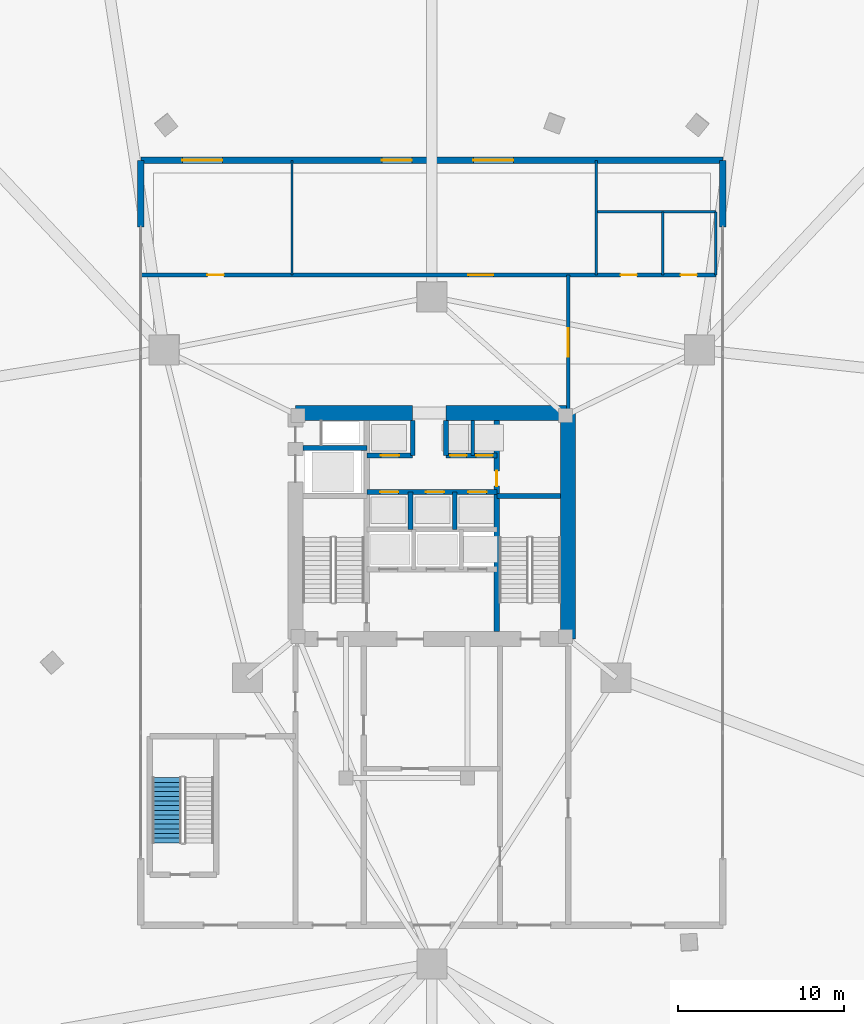
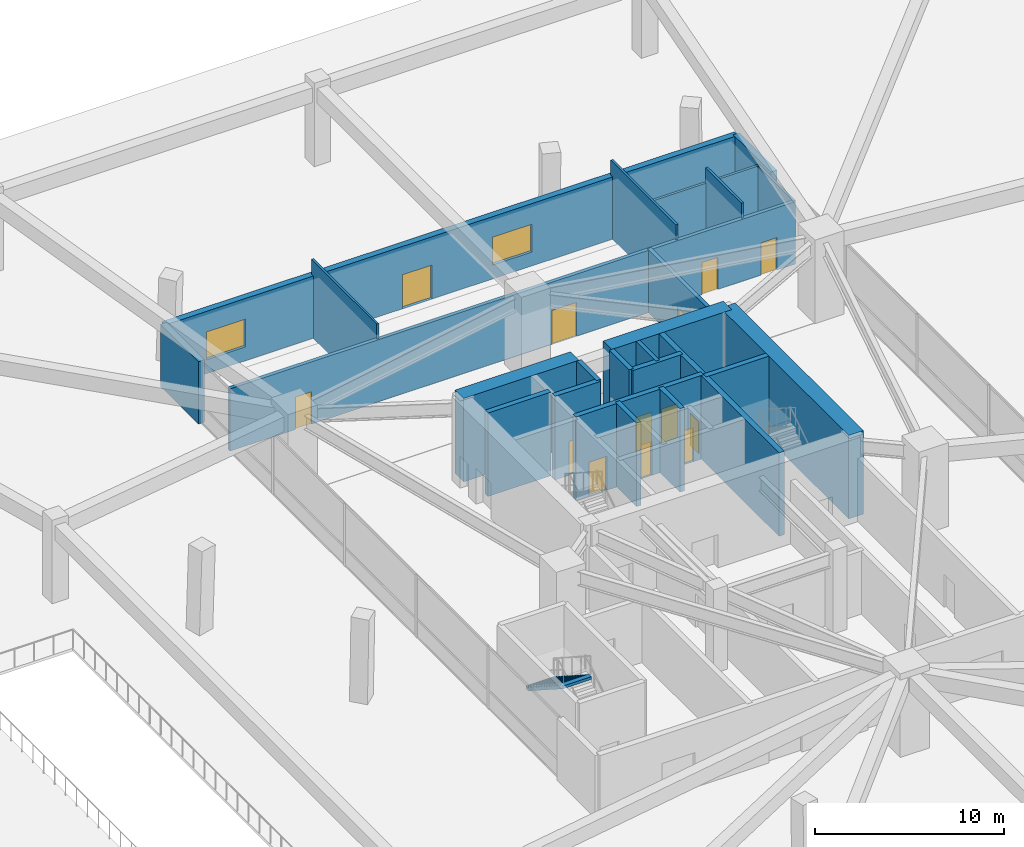
# One storey, part 13 of 19: 24 walls, 13 doors, 2 windows, 1 stair flight, 15 openings, 1 element without a shape of its own.
"""IFC4 building model written with IfcOpenShell, lengths in metres."""

import ifcopenshell
import ifcopenshell.guid

model = None  # the IFC model being written
_history = None  # IfcOwnerHistory: only IFC2X3 demands one
_inside = {}  # id of a spatial element -> (the spatial element, [elements in it])
_under = {}  # id of a project, library or spatial element -> (it, [spatial elements below it])
_declared = {}  # id of a project -> (the project, [libraries it declares])
_typed = {}  # id of a type object -> (the type object, [elements of that type])
_made_of = {}  # id of a material, layer set ... -> (it, [elements and type objects made of it])


def new_model(schema):
    """Start an empty IFC model of exactly this schema.

    Asked for "IFC4X3", IfcOpenShell would pick the latest addendum, in which some entities
    have other attributes; the version numbers below select the first issue.
    IFC2X3 requires an IfcOwnerHistory on every rooted entity: one is made here for all.
    """
    global model, _history
    if schema == "IFC4X3":
        model = ifcopenshell.file(schema_version=(4, 3, 0, 0))
    else:
        model = ifcopenshell.file(schema=schema)
    _inside.clear()
    _under.clear()
    _declared.clear()
    _typed.clear()
    _made_of.clear()
    _history = None
    if model.schema == "IFC2X3":
        org = make("IfcOrganization", Name="unknown")
        user = make(
            "IfcPersonAndOrganization",
            ThePerson=make("IfcPerson", FamilyName="unknown"),
            TheOrganization=org,
        )
        app = make(
            "IfcApplication",
            ApplicationDeveloper=org,
            Version="unknown",
            ApplicationFullName="unknown",
            ApplicationIdentifier="unknown",
        )
        _history = make(
            "IfcOwnerHistory",
            OwningUser=user,
            OwningApplication=app,
            ChangeAction="ADDED",
            CreationDate=0,
        )
    return model


def make(cls, **values):
    """One entity of the class cls with the attributes given. An attribute that is None is left unset."""
    return model.create_entity(
        cls, **{name: value for name, value in values.items() if value is not None}
    )


def rooted(cls, **values):
    """An entity with a GlobalId (a new one), such as an element, a storey or a relation."""
    return make(cls, GlobalId=ifcopenshell.guid.new(), OwnerHistory=_history, **values)


def si_unit(unit_type, name, prefix=None):
    """IfcSIUnit, for example si_unit("LENGTHUNIT", "METRE", prefix="MILLI")."""
    return make("IfcSIUnit", UnitType=unit_type, Prefix=prefix, Name=name)


def assignment(units):
    """IfcUnitAssignment: the units of a project."""
    return None if units is None else make("IfcUnitAssignment", Units=units)


def point(xyz):
    """IfcCartesianPoint."""
    return None if xyz is None else make("IfcCartesianPoint", Coordinates=xyz)


def direction(xyz):
    """IfcDirection."""
    return None if xyz is None else make("IfcDirection", DirectionRatios=xyz)


def frame(location, z_axis=None, x_axis=None):
    """IfcAxis2Placement3D, a coordinate frame: its origin and axes. An axis left out is left unset."""
    return make(
        "IfcAxis2Placement3D",
        Location=point(location),
        Axis=direction(z_axis),
        RefDirection=direction(x_axis),
    )


def frame_2d(location, x_axis=None):
    """IfcAxis2Placement2D, a coordinate frame in the plane: its origin and x axis."""
    return make(
        "IfcAxis2Placement2D", Location=point(location), RefDirection=direction(x_axis)
    )


def origin():
    """The frame at (0, 0, 0) with its axes left unset."""
    return frame((0.0, 0.0, 0.0))


def place(relative_to, where):
    """IfcLocalPlacement: puts the frame where relative to a parent placement (None: the world)."""
    return make(
        "IfcLocalPlacement", PlacementRelTo=relative_to, RelativePlacement=where
    )


def context(
    kind, dimensions, precision=None, world=None, true_north=None, identifier=None
):
    """IfcGeometricRepresentationContext, for example the 3D "Model" context."""
    return make(
        "IfcGeometricRepresentationContext",
        ContextIdentifier=identifier,
        ContextType=kind,
        CoordinateSpaceDimension=dimensions,
        Precision=precision,
        WorldCoordinateSystem=world,
        TrueNorth=true_north,
    )


def subcontext(parent, identifier, kind, view, scale=None):
    """IfcGeometricRepresentationSubContext, for example "Body" below "Model"."""
    return make(
        "IfcGeometricRepresentationSubContext",
        ContextIdentifier=identifier,
        ContextType=kind,
        ParentContext=parent,
        TargetScale=scale,
        TargetView=view,
    )


def project(units=None, contexts=None):
    """IfcProject with its units and contexts."""
    return rooted(
        "IfcProject",
        Name="project",
        RepresentationContexts=contexts,
        UnitsInContext=assignment(units),
    )


def spatial(cls, under=None, at=None, **own):
    """A site, building, storey or space (cls), placed at a placement, below another one or the project."""
    s = rooted(cls, ObjectPlacement=at, **own)
    if under is not None:
        _under.setdefault(under.id(), (under, []))[1].append(s)
    return s


def polyline(points):
    """IfcPolyline through the points."""
    return make("IfcPolyline", Points=[point(p) for p in points])


def profile(cls, at=None, kind="AREA", **sizes):
    """A parametric profile (cls). Its sizes go by their IFC names, for example OverallWidth=200.0."""
    return make(cls, ProfileType=kind, Position=at, **sizes)


def rectangle(**sizes):
    """IfcRectangleProfileDef."""
    return profile("IfcRectangleProfileDef", **sizes)


def outline(outer, holes=None, kind="AREA"):
    """IfcArbitraryClosedProfileDef: a profile drawn as a closed curve; with holes, ...WithVoids."""
    if holes is None:
        return make("IfcArbitraryClosedProfileDef", ProfileType=kind, OuterCurve=outer)
    return make(
        "IfcArbitraryProfileDefWithVoids",
        ProfileType=kind,
        OuterCurve=outer,
        InnerCurves=holes,
    )


def extrude(swept, where, along, depth):
    """IfcExtrudedAreaSolid: the profile swept, set in the frame where, extruded along a direction by depth."""
    return make(
        "IfcExtrudedAreaSolid",
        SweptArea=swept,
        Position=where,
        ExtrudedDirection=direction(along),
        Depth=depth,
    )


def shape(context_of_items, identifier, shape_type, items):
    """IfcShapeRepresentation: the items that make up one representation, for example the "Body"."""
    return make(
        "IfcShapeRepresentation",
        ContextOfItems=context_of_items,
        RepresentationIdentifier=identifier,
        RepresentationType=shape_type,
        Items=items,
    )


def material(Name=None, Category=None):
    """IfcMaterial."""
    return make("IfcMaterial", Name=Name, Category=Category)


def layer(
    of_material, thickness, ventilated=None, Name=None, Category=None, Priority=None
):
    """IfcMaterialLayer: one layer of a wall or slab, of a material (None: an air gap)."""
    return make(
        "IfcMaterialLayer",
        Material=of_material,
        LayerThickness=thickness,
        IsVentilated=ventilated,
        Name=Name,
        Category=Category,
        Priority=Priority,
    )


def layer_set(layers, Name=None):
    """IfcMaterialLayerSet."""
    return make("IfcMaterialLayerSet", MaterialLayers=layers, LayerSetName=Name)


def made_of(thing, what):
    """Note that an element or type object is made of a material, layer set ...; save() writes the relation."""
    if what is not None:
        _made_of.setdefault(what.id(), (what, []))[1].append(thing)
    return thing


def type_object(cls, material=None, **own):
    """A type object (cls), such as IfcWallType, which elements share."""
    return made_of(rooted(cls, **own), material)


def element(
    cls,
    number,
    at=None,
    inside=None,
    cuts=None,
    type_object=None,
    material=None,
    context=None,
    identifier="Body",
    shape_type=None,
    held_by="IfcProductDefinitionShape",
    body=None,
    shapes=None,
    **own,
):
    """One element of the class cls, such as IfcWall. Its Tag is "e" and its number.

    at: its placement. inside: the storey or other place that contains it. cuts: it is an
    opening in that element (IfcRelVoidsElement). A single representation is given by context,
    identifier, shape_type and body (its items); several are given by shapes. held_by: the class
    of the entity that holds the representations. save() writes the other relations.
    """
    e = rooted(cls, Tag="e%d" % number, ObjectPlacement=at, **own)
    if body is not None:
        shapes = [shape(context, identifier, shape_type, body)]
    if shapes is not None:
        e.Representation = make(held_by, Representations=shapes)
    if inside is not None:
        _inside.setdefault(inside.id(), (inside, []))[1].append(e)
    if cuts is not None:
        rooted(
            "IfcRelVoidsElement", RelatingBuildingElement=cuts, RelatedOpeningElement=e
        )
    if type_object is not None:
        _typed.setdefault(type_object.id(), (type_object, []))[1].append(e)
    return made_of(e, material)


def fill(opening, filler):
    """IfcRelFillsElement: the door or window that sits in an opening."""
    return rooted(
        "IfcRelFillsElement",
        RelatingOpeningElement=opening,
        RelatedBuildingElement=filler,
    )


def aggregate(whole, parts):
    """IfcRelAggregates: a whole, such as a stair, and the parts it consists of."""
    return rooted("IfcRelAggregates", RelatingObject=whole, RelatedObjects=parts)


def save(model, path):
    """Write the relations noted so far, then the file.

    IfcRelAggregates (storeys below a building ...), IfcRelContainedInSpatialStructure (elements
    in a storey), IfcRelDefinesByType, IfcRelAssociatesMaterial and IfcRelDeclares: one each for
    every whole, place, type object, material and project.
    """
    for whole, parts in _under.values():
        aggregate(whole, parts)
    for where, things in _inside.values():
        rooted(
            "IfcRelContainedInSpatialStructure",
            RelatedElements=things,
            RelatingStructure=where,
        )
    for kind, things in _typed.values():
        rooted("IfcRelDefinesByType", RelatedObjects=things, RelatingType=kind)
    for what, things in _made_of.values():
        rooted("IfcRelAssociatesMaterial", RelatedObjects=things, RelatingMaterial=what)
    for by, libraries in _declared.values():
        rooted("IfcRelDeclares", RelatingContext=by, RelatedDefinitions=libraries)
    model.write(path)


model = new_model("IFC4")

# Units and contexts
model_context = context("Model", 3, precision=1e-05, world=origin(), true_north=direction((0.0, 1.0)))
body_context = subcontext(model_context, "Body", "Model", "MODEL_VIEW")
ifc_project = project(units=[si_unit("LENGTHUNIT", "METRE"), si_unit("AREAUNIT", "SQUARE_METRE"), si_unit("VOLUMEUNIT", "CUBIC_METRE"), si_unit("PLANEANGLEUNIT", "RADIAN"), si_unit("MASSUNIT", "GRAM", prefix="KILO")], contexts=[model_context])

# Site, building, storey
site_placement = place(None, origin())
site = spatial("IfcSite", under=ifc_project, at=site_placement, CompositionType="ELEMENT")
building_placement = place(site_placement, origin())
building = spatial("IfcBuilding", under=site, at=building_placement, Name="Talyreon Biosciences Tower", CompositionType="ELEMENT")
storey_placement = place(building_placement, origin())
storey = spatial("IfcBuildingStorey", under=building, at=storey_placement, Name="L00", CompositionType="ELEMENT", Elevation=0.0)

# Walls
ifc_material_1 = material(Name="Concrete C50/60", Category="concrete")
ifc_layer_1 = layer(ifc_material_1, 0.219970703125)
ifc_layer_set_1 = layer_set([ifc_layer_1], Name="Concrete C50/60")
wall_type_1 = type_object("IfcWallType", Name="CoreShearWall_220", PredefinedType="SHEAR", material=ifc_layer_set_1)
wall_1_placement = place(storey_placement, frame((68.4599609375, 72.25, 0.0), z_axis=(0.0, 0.0, 1.0), x_axis=(0.0, 1.0, 0.0)))
element("IfcWall", 1, at=wall_1_placement, inside=storey, type_object=wall_type_1, Name="L00 Core Shaft Wall SWPHD", PredefinedType="SHEAR", context=body_context, shape_type="SweptSolid", body=[
    extrude(rectangle(XDim=2.10009765625, YDim=0.219970703125, at=frame_2d((1.050048828125, 0.0))), origin(), (0.0, 0.0, 1.0), 5.39990234375),
])
ifc_layer_2 = layer(ifc_material_1, 0.280029296875)
ifc_layer_set_2 = layer_set([ifc_layer_2], Name="Concrete C50/60")
wall_type_2 = type_object("IfcWallType", Name="CoreShearWall_280", PredefinedType="SHEAR", material=ifc_layer_set_2)
for number, where, z_axis, x_axis, name in (
    (2, (64.85009765625, 72.25, 0.0), (0.0, 0.0, 1.0), (0.0, 1.0, 0.0), "L00 Core Shaft Wall SWTHW"),
    (3, (66.85009765625, 72.25, 0.0), (0.0, 0.0, 1.0), (0.0, 1.0, 0.0), "L00 Core Shaft Wall SWTHE"),
):
    element("IfcWall", number, at=place(storey_placement, frame(where, z_axis=z_axis, x_axis=x_axis)), inside=storey, type_object=wall_type_2, Name=name, PredefinedType="SHEAR", context=body_context, shape_type="SweptSolid", body=[
        extrude(rectangle(XDim=2.10009765625, YDim=0.280029296875, at=frame_2d((1.050048828125, 0.0))), origin(), (0.0, 0.0, 1.0), 5.39990234375),
    ])
for number, where, z_axis, x_axis, name in (
    (4, (64.719970703125, 67.800048828125, 0.0), (0.0, 0.0, 1.0), (0.0, 1.0, 0.0), "L00 Core Shaft Wall SWPLD"),
    (5, (67.3798828125, 67.800048828125, 0.0), (0.0, 0.0, 1.0), (0.0, 1.0, 0.0), "L00 Core Shaft Wall SWPMD"),
):
    element("IfcWall", number, at=place(storey_placement, frame(where, z_axis=z_axis, x_axis=x_axis)), inside=storey, type_object=wall_type_2, Name=name, PredefinedType="SHEAR", context=body_context, shape_type="SweptSolid", body=[
        extrude(rectangle(XDim=2.25, YDim=0.280029296875, at=frame_2d((1.125, 0.0))), origin(), (0.0, 0.0, 1.0), 5.39990234375),
    ])

# Wall, opening, door
ifc_layer_3 = layer(ifc_material_1, 0.320068359375)
ifc_layer_set_3 = layer_set([ifc_layer_3], Name="Concrete C50/60")
wall_type_3 = type_object("IfcWallType", Name="CoreShearWall_320", PredefinedType="SHEAR", material=ifc_layer_set_3)
wall_2_placement = place(storey_placement, frame((69.909912109375, 61.64990234375, 0.0), z_axis=(0.0, 0.0, 1.0), x_axis=(0.0, 1.0, 0.0)))
wall_2 = element("IfcWall", 6, at=wall_2_placement, inside=storey, type_object=wall_type_3, Name="L00 Core Shaft Wall SW2W", PredefinedType="SHEAR", context=body_context, shape_type="SweptSolid", body=[
    extrude(rectangle(XDim=12.7001953125, YDim=0.320068359375, at=frame_2d((6.35009765625, 0.0))), origin(), (0.0, 0.0, 1.0), 5.39990234375),
])
opening_1_placement = place(wall_2_placement, frame((8.75, 0.0, 0.0)))
opening_1 = element("IfcOpeningElement", 7, at=opening_1_placement, cuts=wall_2, Name="Opening DR-L00-CSRV", PredefinedType="OPENING", context=body_context, shape_type="SweptSolid", body=[
    extrude(rectangle(XDim=0.919921875, YDim=2.050048828125, at=frame_2d((0.4599609375, 1.02490234375))), frame((0.0, 0.169921875, 0.0), z_axis=(0.0, -1.0, 0.0), x_axis=(1.0, 0.0, 0.0)), (0.0, 0.0, 1.0), 0.340087890625),
])
ifc_material_2 = material(Name="Painted steel fire-rated riser door", Category="steel")
door_type_1 = type_object("IfcDoorType", Name="RiserPlantAccessDoor_920x2050", OperationType="NOTDEFINED", PredefinedType="DOOR", material=ifc_material_2)
door_1_placement = place(opening_1_placement, origin())
door_1 = element("IfcDoor", 8, at=door_1_placement, inside=storey, type_object=door_type_1, Name="L00 Core Door DR-L00-CSRV", OperationType="SINGLE_SWING_RIGHT", OverallHeight=2.050048828125, OverallWidth=0.919921875, PredefinedType="DOOR", context=body_context, shape_type="SweptSolid", body=[
    extrude(rectangle(XDim=0.919921875, YDim=2.050048828125, at=frame_2d((0.4599609375, 1.02490234375))), frame((0.0, 0.02490234375, 0.0), z_axis=(0.0, -1.0, 0.0), x_axis=(1.0, 0.0, 0.0)), (0.0, 0.0, 1.0), 0.050048828125),
])
fill(opening_1, door_1)

# Walls
for number, where, z_axis, x_axis, name in (
    (9, (69.909912109375, 69.81005859375, 0.0), (0.0, 0.0, 1.0), (1.0, 0.0, 0.0), "L00 Core Shaft Wall SW2N"),
    (10, (58.25, 72.699951171875, 0.0), (0.0, 0.0, 1.0), (1.0, 0.0, 0.0), "L00 Core Shaft Wall SWGLN"),
):
    element("IfcWall", number, at=place(storey_placement, frame(where, z_axis=z_axis, x_axis=x_axis)), inside=storey, type_object=wall_type_3, Name=name, PredefinedType="SHEAR", context=body_context, shape_type="SweptSolid", body=[
        extrude(rectangle(XDim=3.840087890625, YDim=0.320068359375, at=frame_2d((1.919921875, 0.0))), origin(), (0.0, 0.0, 1.0), 5.39990234375),
    ])

# Wall, openings, doors
wall_3_placement = place(storey_placement, frame((62.090087890625, 70.050048828125, 0.0), z_axis=(0.0, 0.0, 1.0), x_axis=(1.0, 0.0, 0.0)))
wall_3 = element("IfcWall", 11, at=wall_3_placement, inside=storey, type_object=wall_type_3, Name="L00 Core Shaft Wall SWSPN", PredefinedType="SHEAR", context=body_context, shape_type="SweptSolid", body=[
    extrude(rectangle(XDim=7.81982421875, YDim=0.320068359375, at=frame_2d((3.909912109375, 0.0))), origin(), (0.0, 0.0, 1.0), 5.39990234375),
])
opening_2_placement = place(wall_3_placement, frame((0.800048828125, 0.0, 0.0)))
opening_2 = element("IfcOpeningElement", 12, at=opening_2_placement, cuts=wall_3, Name="Opening LD-L00-PL1", PredefinedType="OPENING", context=body_context, shape_type="SweptSolid", body=[
    extrude(rectangle(XDim=1.10009765625, YDim=2.199951171875, at=frame_2d((0.550048828125, 1.10009765625))), frame((0.0, 0.169921875, 0.0), z_axis=(0.0, -1.0, 0.0), x_axis=(1.0, 0.0, 0.0)), (0.0, 0.0, 1.0), 0.340087890625),
])
opening_3_placement = place(wall_3_placement, frame((3.550048828125, 0.0, 0.0)))
opening_3 = element("IfcOpeningElement", 13, at=opening_3_placement, cuts=wall_3, Name="Opening LD-L00-PL2", PredefinedType="OPENING", context=body_context, shape_type="SweptSolid", body=[
    extrude(rectangle(XDim=1.10009765625, YDim=2.199951171875, at=frame_2d((0.550048828125, 1.10009765625))), frame((0.0, 0.169921875, 0.0), z_axis=(0.0, -1.0, 0.0), x_axis=(1.0, 0.0, 0.0)), (0.0, 0.0, 1.0), 0.340087890625),
])
opening_4_placement = place(wall_3_placement, frame((6.10009765625, 0.0, 0.0)))
opening_4 = element("IfcOpeningElement", 14, at=opening_4_placement, cuts=wall_3, Name="Opening LD-L00-PM1", PredefinedType="OPENING", context=body_context, shape_type="SweptSolid", body=[
    extrude(rectangle(XDim=1.10009765625, YDim=2.199951171875, at=frame_2d((0.550048828125, 1.10009765625))), frame((0.0, 0.169921875, 0.0), z_axis=(0.0, -1.0, 0.0), x_axis=(1.0, 0.0, 0.0)), (0.0, 0.0, 1.0), 0.340087890625),
])
ifc_material_3 = material(Name="Brushed stainless-steel lift landing door", Category="steel")
door_type_2 = type_object("IfcDoorType", Name="LiftSlidingLandingDoor_1100x2200", OperationType="SLIDING_TO_LEFT", PredefinedType="DOOR", material=ifc_material_3)
door_2_placement = place(opening_2_placement, origin())
door_2 = element("IfcDoor", 15, at=door_2_placement, inside=storey, type_object=door_type_2, Name="L00 Core Door LD-L00-PL1", OperationType="SLIDING_TO_LEFT", OverallHeight=2.199951171875, OverallWidth=1.10009765625, PredefinedType="DOOR", context=body_context, shape_type="SweptSolid", body=[
    extrude(rectangle(XDim=1.10009765625, YDim=2.199951171875, at=frame_2d((0.550048828125, 1.10009765625))), frame((0.0, 0.02490234375, 0.0), z_axis=(0.0, -1.0, 0.0), x_axis=(1.0, 0.0, 0.0)), (0.0, 0.0, 1.0), 0.050048828125),
])
fill(opening_2, door_2)
door_3_placement = place(opening_3_placement, origin())
door_3 = element("IfcDoor", 16, at=door_3_placement, inside=storey, type_object=door_type_2, Name="L00 Core Door LD-L00-PL2", OperationType="SLIDING_TO_LEFT", OverallHeight=2.199951171875, OverallWidth=1.10009765625, PredefinedType="DOOR", context=body_context, shape_type="SweptSolid", body=[
    extrude(rectangle(XDim=1.10009765625, YDim=2.199951171875, at=frame_2d((0.550048828125, 1.10009765625))), frame((0.0, 0.02490234375, 0.0), z_axis=(0.0, -1.0, 0.0), x_axis=(1.0, 0.0, 0.0)), (0.0, 0.0, 1.0), 0.050048828125),
])
fill(opening_3, door_3)
door_4_placement = place(opening_4_placement, origin())
door_4 = element("IfcDoor", 17, at=door_4_placement, inside=storey, type_object=door_type_2, Name="L00 Core Door LD-L00-PM1", OperationType="SLIDING_TO_LEFT", OverallHeight=2.199951171875, OverallWidth=1.10009765625, PredefinedType="DOOR", context=body_context, shape_type="SweptSolid", body=[
    extrude(rectangle(XDim=1.10009765625, YDim=2.199951171875, at=frame_2d((0.550048828125, 1.10009765625))), frame((0.0, 0.02490234375, 0.0), z_axis=(0.0, -1.0, 0.0), x_axis=(1.0, 0.0, 0.0)), (0.0, 0.0, 1.0), 0.050048828125),
])
fill(opening_4, door_4)

# Wall, opening, door
wall_4_placement = place(storey_placement, frame((62.090087890625, 72.25, 0.0), z_axis=(0.0, 0.0, 1.0), x_axis=(1.0, 0.0, 0.0)))
wall_4 = element("IfcWall", 18, at=wall_4_placement, inside=storey, type_object=wall_type_3, Name="L00 Core Shaft Wall SWNPW", PredefinedType="SHEAR", context=body_context, shape_type="SweptSolid", body=[
    extrude(rectangle(XDim=2.760009765625, YDim=0.320068359375, at=frame_2d((1.3798828125, 0.0))), origin(), (0.0, 0.0, 1.0), 5.39990234375),
])
opening_5_placement = place(wall_4_placement, frame((0.85009765625, 0.0, 0.0)))
opening_5 = element("IfcOpeningElement", 19, at=opening_5_placement, cuts=wall_4, Name="Opening LD-L00-PM2", PredefinedType="OPENING", context=body_context, shape_type="SweptSolid", body=[
    extrude(rectangle(XDim=1.10009765625, YDim=2.199951171875, at=frame_2d((0.550048828125, 1.10009765625))), frame((0.0, 0.169921875, 0.0), z_axis=(0.0, -1.0, 0.0), x_axis=(1.0, 0.0, 0.0)), (0.0, 0.0, 1.0), 0.340087890625),
])
door_5_placement = place(opening_5_placement, origin())
door_5 = element("IfcDoor", 20, at=door_5_placement, inside=storey, type_object=door_type_2, Name="L00 Core Door LD-L00-PM2", OperationType="SLIDING_TO_LEFT", OverallHeight=2.199951171875, OverallWidth=1.10009765625, PredefinedType="DOOR", context=body_context, shape_type="SweptSolid", body=[
    extrude(rectangle(XDim=1.10009765625, YDim=2.199951171875, at=frame_2d((0.550048828125, 1.10009765625))), frame((0.0, 0.02490234375, 0.0), z_axis=(0.0, -1.0, 0.0), x_axis=(1.0, 0.0, 0.0)), (0.0, 0.0, 1.0), 0.050048828125),
])
fill(opening_5, door_5)

# Wall, openings, doors
wall_5_placement = place(storey_placement, frame((66.85009765625, 72.25, 0.0), z_axis=(0.0, 0.0, 1.0), x_axis=(1.0, 0.0, 0.0)))
wall_5 = element("IfcWall", 21, at=wall_5_placement, inside=storey, type_object=wall_type_3, Name="L00 Core Shaft Wall SWNPE", PredefinedType="SHEAR", context=body_context, shape_type="SweptSolid", body=[
    extrude(rectangle(XDim=3.059814453125, YDim=0.320068359375, at=frame_2d((1.52978515625, 0.0))), origin(), (0.0, 0.0, 1.0), 5.39990234375),
])
opening_6_placement = place(wall_5_placement, frame((0.25, 0.0, 0.0)))
opening_6 = element("IfcOpeningElement", 22, at=opening_6_placement, cuts=wall_5, Name="Opening LD-L00-PH1", PredefinedType="OPENING", context=body_context, shape_type="SweptSolid", body=[
    extrude(rectangle(XDim=1.0, YDim=2.199951171875, at=frame_2d((0.5, 1.10009765625))), frame((0.0, 0.169921875, 0.0), z_axis=(0.0, -1.0, 0.0), x_axis=(1.0, 0.0, 0.0)), (0.0, 0.0, 1.0), 0.340087890625),
])
opening_7_placement = place(wall_5_placement, frame((1.820068359375, 0.0, 0.0)))
opening_7 = element("IfcOpeningElement", 23, at=opening_7_placement, cuts=wall_5, Name="Opening LD-L00-PH2", PredefinedType="OPENING", context=body_context, shape_type="SweptSolid", body=[
    extrude(rectangle(XDim=1.0, YDim=2.199951171875, at=frame_2d((0.5, 1.10009765625))), frame((0.0, 0.169921875, 0.0), z_axis=(0.0, -1.0, 0.0), x_axis=(1.0, 0.0, 0.0)), (0.0, 0.0, 1.0), 0.340087890625),
])
door_6_placement = place(opening_6_placement, origin())
door_6 = element("IfcDoor", 24, at=door_6_placement, inside=storey, type_object=door_type_2, Name="L00 Core Door LD-L00-PH1", OperationType="SLIDING_TO_LEFT", OverallHeight=2.199951171875, OverallWidth=1.0, PredefinedType="DOOR", context=body_context, shape_type="SweptSolid", body=[
    extrude(rectangle(XDim=1.0, YDim=2.199951171875, at=frame_2d((0.5, 1.10009765625))), frame((0.0, 0.02490234375, 0.0), z_axis=(0.0, -1.0, 0.0), x_axis=(1.0, 0.0, 0.0)), (0.0, 0.0, 1.0), 0.050048828125),
])
fill(opening_6, door_6)
door_7_placement = place(opening_7_placement, origin())
door_7 = element("IfcDoor", 25, at=door_7_placement, inside=storey, type_object=door_type_2, Name="L00 Core Door LD-L00-PH2", OperationType="SLIDING_TO_LEFT", OverallHeight=2.199951171875, OverallWidth=1.0, PredefinedType="DOOR", context=body_context, shape_type="SweptSolid", body=[
    extrude(rectangle(XDim=1.0, YDim=2.199951171875, at=frame_2d((0.5, 1.10009765625))), frame((0.0, 0.02490234375, 0.0), z_axis=(0.0, -1.0, 0.0), x_axis=(1.0, 0.0, 0.0)), (0.0, 0.0, 1.0), 0.050048828125),
])
fill(opening_7, door_7)

# Walls
ifc_material_4 = material(Name="Concrete C60/75", Category="concrete")
ifc_layer_4 = layer(ifc_material_4, 0.89990234375)
ifc_layer_set_4 = layer_set([ifc_layer_4], Name="Concrete C60/75")
wall_type_4 = type_object("IfcWallType", Name="CoreShearWall_900", PredefinedType="SHEAR", material=ifc_layer_set_4)
wall_6_placement = place(storey_placement, frame((74.199951171875, 61.199951171875, 0.0), z_axis=(0.0, 0.0, 1.0), x_axis=(0.0, 1.0, 0.0)))
element("IfcWall", 26, at=wall_6_placement, inside=storey, type_object=wall_type_4, Name="L00 Core Shear Wall E", PredefinedType="SHEAR", context=body_context, shape_type="SweptSolid", body=[
    extrude(rectangle(XDim=13.60009765625, YDim=0.89990234375, at=frame_2d((6.800048828125, 0.0))), origin(), (0.0, 0.0, 1.0), 5.39990234375),
])
wall_7_placement = place(storey_placement, frame((74.199951171875, 74.800048828125, 0.0), z_axis=(0.0, 0.0, 1.0), x_axis=(-1.0, 0.0, 0.0)))
element("IfcWall", 27, at=wall_7_placement, inside=storey, type_object=wall_type_4, Name="L00 Core Shear Wall NE", PredefinedType="SHEAR", context=body_context, shape_type="SweptSolid", body=[
    extrude(rectangle(XDim=7.349853515625, YDim=0.89990234375, at=frame_2d((3.6748046875, 0.0))), origin(), (0.0, 0.0, 1.0), 5.39990234375),
])
wall_8_placement = place(storey_placement, frame((64.85009765625, 74.800048828125, 0.0), z_axis=(0.0, 0.0, 1.0), x_axis=(-1.0, 0.0, 0.0)))
element("IfcWall", 28, at=wall_8_placement, inside=storey, type_object=wall_type_4, Name="L00 Core Shear Wall NW", PredefinedType="SHEAR", context=body_context, shape_type="SweptSolid", body=[
    extrude(rectangle(XDim=7.050048828125, YDim=0.89990234375, at=frame_2d((3.52490234375, 0.0))), origin(), (0.0, 0.0, 1.0), 5.39990234375),
])

# Wall, opening, door
ifc_material_5 = material(Name="Gypsum fireboard acoustic stud", Category="gypsum")
ifc_layer_5 = layer(ifc_material_5, 0.219970703125)
ifc_layer_set_5 = layer_set([ifc_layer_5], Name="Gypsum fireboard acoustic stud")
wall_type_5 = type_object("IfcWallType", Name="CorridorRatedPartition_220", PredefinedType="PARTITIONING", material=ifc_layer_set_5)
wall_9_placement = place(storey_placement, frame((74.199951171875, 75.0, 0.0), z_axis=(0.0, 0.0, 1.0), x_axis=(0.0, 1.0, 0.0)))
wall_9 = element("IfcWall", 29, at=wall_9_placement, inside=storey, type_object=wall_type_5, Name="L00 Interior Wall IW-L00-GALW-N", PredefinedType="PARTITIONING", context=body_context, shape_type="SweptSolid", body=[
    extrude(rectangle(XDim=8.10009765625, YDim=0.219970703125, at=frame_2d((4.050048828125, 0.0))), origin(), (0.0, 0.0, 1.0), 4.080078125),
])
opening_8_placement = place(wall_9_placement, frame((3.199951171875, 0.0, 0.0)))
opening_8 = element("IfcOpeningElement", 30, at=opening_8_placement, cuts=wall_9, Name="Opening DR-L00-GAL-N", PredefinedType="OPENING", context=body_context, shape_type="SweptSolid", body=[
    extrude(rectangle(XDim=1.699951171875, YDim=2.199951171875, at=frame_2d((0.85009765625, 1.10009765625))), frame((0.0, 0.119873046875, 0.0), z_axis=(0.0, -1.0, 0.0), x_axis=(1.0, 0.0, 0.0)), (0.0, 0.0, 1.0), 0.239990234375),
])
ifc_material_6 = material(Name="Acoustic oak seminar double door", Category="wood")
door_type_3 = type_object("IfcDoorType", Name="MeetingSeminarDoubleDoor_1700x2200", OperationType="DOUBLE_DOOR_SINGLE_SWING", PredefinedType="DOOR", material=ifc_material_6)
door_8_placement = place(opening_8_placement, origin())
door_8 = element("IfcDoor", 31, at=door_8_placement, inside=storey, type_object=door_type_3, Name="L00 Interior Door DR-L00-GAL-N", OperationType="DOUBLE_DOOR_SINGLE_SWING", OverallHeight=2.199951171875, OverallWidth=1.699951171875, PredefinedType="DOOR", context=body_context, shape_type="SweptSolid", body=[
    extrude(rectangle(XDim=1.699951171875, YDim=2.199951171875, at=frame_2d((0.85009765625, 1.10009765625))), frame((0.0, 0.02490234375, 0.0), z_axis=(0.0, -1.0, 0.0), x_axis=(1.0, 0.0, 0.0)), (0.0, 0.0, 1.0), 0.050048828125),
])
fill(opening_8, door_8)

# Wall, openings, doors
wall_10_placement = place(storey_placement, frame((48.5, 83.10009765625, 0.0), z_axis=(0.0, 0.0, 1.0), x_axis=(1.0, 0.0, 0.0)))
wall_10 = element("IfcWall", 32, at=wall_10_placement, inside=storey, type_object=wall_type_5, Name="L00 Interior Wall IW-L00-NBAND", PredefinedType="PARTITIONING", context=body_context, shape_type="SweptSolid", body=[
    extrude(rectangle(XDim=34.580078125, YDim=0.219970703125, at=frame_2d((17.2900390625, 0.0))), origin(), (0.0, 0.0, 1.0), 4.030029296875),
])
opening_9_placement = place(wall_10_placement, frame((4.0, 0.0, 0.0)))
opening_9 = element("IfcOpeningElement", 33, at=opening_9_placement, cuts=wall_10, Name="Opening DR-L00-SEC", PredefinedType="OPENING", context=body_context, shape_type="SweptSolid", body=[
    extrude(rectangle(XDim=1.0, YDim=2.10009765625, at=frame_2d((0.5, 1.050048828125))), frame((0.0, 0.119873046875, 0.0), z_axis=(0.0, -1.0, 0.0), x_axis=(1.0, 0.0, 0.0)), (0.0, 0.0, 1.0), 0.239990234375),
])
opening_10_placement = place(wall_10_placement, frame((19.7041015625, 0.0, 0.0)))
opening_10 = element("IfcOpeningElement", 34, at=opening_10_placement, cuts=wall_10, Name="Opening DR-L00-CYC", PredefinedType="OPENING", context=body_context, shape_type="SweptSolid", body=[
    extrude(rectangle(XDim=1.5, YDim=2.199951171875, at=frame_2d((0.75, 1.10009765625))), frame((0.0, 0.119873046875, 0.0), z_axis=(0.0, -1.0, 0.0), x_axis=(1.0, 0.0, 0.0)), (0.0, 0.0, 1.0), 0.239990234375),
])
opening_11_placement = place(wall_10_placement, frame((28.860107421875, 0.0, 0.0)))
opening_11 = element("IfcOpeningElement", 35, at=opening_11_placement, cuts=wall_10, Name="Opening DR-L00-WC", PredefinedType="OPENING", context=body_context, shape_type="SweptSolid", body=[
    extrude(rectangle(XDim=0.97998046875, YDim=2.10009765625, at=frame_2d((0.489990234375, 1.050048828125))), frame((0.0, 0.119873046875, 0.0), z_axis=(0.0, -1.0, 0.0), x_axis=(1.0, 0.0, 0.0)), (0.0, 0.0, 1.0), 0.239990234375),
])
opening_12_placement = place(wall_10_placement, frame((32.4599609375, 0.0, 0.0)))
opening_12 = element("IfcOpeningElement", 36, at=opening_12_placement, cuts=wall_10, Name="Opening DR-L00-AWC", PredefinedType="OPENING", context=body_context, shape_type="SweptSolid", body=[
    extrude(rectangle(XDim=0.97998046875, YDim=2.10009765625, at=frame_2d((0.489990234375, 1.050048828125))), frame((0.0, 0.119873046875, 0.0), z_axis=(0.0, -1.0, 0.0), x_axis=(1.0, 0.0, 0.0)), (0.0, 0.0, 1.0), 0.239990234375),
])
ifc_material_7 = material(Name="Laminate moisture-resistant door", Category="wood")
door_type_4 = type_object("IfcDoorType", Name="AccessibleToiletDoor_980x2100", OperationType="NOTDEFINED", PredefinedType="DOOR", material=ifc_material_7)
door_9_placement = place(opening_11_placement, origin())
door_9 = element("IfcDoor", 37, at=door_9_placement, inside=storey, type_object=door_type_4, Name="L00 Interior Door DR-L00-WC", OperationType="SINGLE_SWING_RIGHT", OverallHeight=2.10009765625, OverallWidth=0.97998046875, PredefinedType="DOOR", context=body_context, shape_type="SweptSolid", body=[
    extrude(rectangle(XDim=0.97998046875, YDim=2.10009765625, at=frame_2d((0.489990234375, 1.050048828125))), frame((0.0, 0.02490234375, 0.0), z_axis=(0.0, -1.0, 0.0), x_axis=(1.0, 0.0, 0.0)), (0.0, 0.0, 1.0), 0.050048828125),
])
fill(opening_11, door_9)
door_10_placement = place(opening_12_placement, origin())
door_10 = element("IfcDoor", 38, at=door_10_placement, inside=storey, type_object=door_type_4, Name="L00 Interior Door DR-L00-AWC", OperationType="SINGLE_SWING_LEFT", OverallHeight=2.10009765625, OverallWidth=0.97998046875, PredefinedType="DOOR", context=body_context, shape_type="SweptSolid", body=[
    extrude(rectangle(XDim=0.97998046875, YDim=2.10009765625, at=frame_2d((0.489990234375, 1.050048828125))), frame((0.0, 0.02490234375, 0.0), z_axis=(0.0, -1.0, 0.0), x_axis=(1.0, 0.0, 0.0)), (0.0, 0.0, 1.0), 0.050048828125),
])
fill(opening_12, door_10)
ifc_material_8 = material(Name="Vision-panel steel laboratory fire door", Category="steel")
door_type_5 = type_object("IfcDoorType", Name="WetLabDoubleLeafDoor_1500x2200", OperationType="DOUBLE_DOOR_SINGLE_SWING", PredefinedType="DOOR", material=ifc_material_8)
door_11_placement = place(opening_10_placement, origin())
door_11 = element("IfcDoor", 39, at=door_11_placement, inside=storey, type_object=door_type_5, Name="L00 Interior Door DR-L00-CYC", OperationType="DOUBLE_DOOR_SINGLE_SWING", OverallHeight=2.199951171875, OverallWidth=1.5, PredefinedType="DOOR", context=body_context, shape_type="SweptSolid", body=[
    extrude(rectangle(XDim=1.5, YDim=2.199951171875, at=frame_2d((0.75, 1.10009765625))), frame((0.0, 0.02490234375, 0.0), z_axis=(0.0, -1.0, 0.0), x_axis=(1.0, 0.0, 0.0)), (0.0, 0.0, 1.0), 0.050048828125),
])
fill(opening_10, door_11)
ifc_material_9 = material(Name="Acoustic oak veneer office door", Category="wood")
door_type_6 = type_object("IfcDoorType", Name="WriteupOfficeDoor_1000x2100", OperationType="NOTDEFINED", PredefinedType="DOOR", material=ifc_material_9)
door_12_placement = place(opening_9_placement, origin())
door_12 = element("IfcDoor", 40, at=door_12_placement, inside=storey, type_object=door_type_6, Name="L00 Interior Door DR-L00-SEC", OperationType="SINGLE_SWING_RIGHT", OverallHeight=2.10009765625, OverallWidth=1.0, PredefinedType="DOOR", context=body_context, shape_type="SweptSolid", body=[
    extrude(rectangle(XDim=1.0, YDim=2.10009765625, at=frame_2d((0.5, 1.050048828125))), frame((0.0, 0.02490234375, 0.0), z_axis=(0.0, -1.0, 0.0), x_axis=(1.0, 0.0, 0.0)), (0.0, 0.0, 1.0), 0.050048828125),
])
fill(opening_9, door_12)

# Wall
ifc_material_10 = material(Name="Gypsum acoustic stud partition", Category="gypsum")
ifc_layer_6 = layer(ifc_material_10, 0.1298828125)
ifc_layer_set_6 = layer_set([ifc_layer_6], Name="Gypsum acoustic stud partition")
wall_type_6 = type_object("IfcWallType", Name="OfficeWriteupPartition_130", PredefinedType="PARTITIONING", material=ifc_layer_set_6)
wall_11_placement = place(storey_placement, frame((57.60009765625, 83.10009765625, 0.0), z_axis=(0.0, 0.0, 1.0), x_axis=(0.0, 1.0, 0.0)))
element("IfcWall", 41, at=wall_11_placement, inside=storey, type_object=wall_type_6, Name="L00 Interior Wall IW-L00-ND1", PredefinedType="PARTITIONING", context=body_context, shape_type="SweptSolid", body=[
    extrude(rectangle(XDim=6.89990234375, YDim=0.1298828125, at=frame_2d((3.449951171875, 0.0))), origin(), (0.0, 0.0, 1.0), 5.0),
])

# Wall, openings, door, windows
ifc_material_11 = material(Name="Precast concrete C45/55", Category="concrete")
ifc_layer_7 = layer(ifc_material_11, 0.3798828125)
ifc_layer_set_7 = layer_set([ifc_layer_7], Name="Precast concrete C45/55")
wall_type_7 = type_object("IfcWallType", Name="PrecastConcretePodiumWall_380", PredefinedType="STANDARD", material=ifc_layer_set_7)
wall_12_placement = place(storey_placement, frame((48.5, 90.0, 0.0), z_axis=(0.0, 0.0, 1.0), x_axis=(1.0, 0.0, 0.0)))
wall_12 = element("IfcWall", 42, at=wall_12_placement, inside=storey, type_object=wall_type_7, Name="L00 North Pavilion Wall", PredefinedType="STANDARD", context=body_context, shape_type="SweptSolid", body=[
    extrude(rectangle(XDim=35.0, YDim=0.3798828125, at=frame_2d((17.5, 0.0))), origin(), (0.0, 0.0, 1.0), 4.030029296875),
])
opening_13_placement = place(wall_12_placement, frame((14.5, 0.0, 0.0)))
opening_13 = element("IfcOpeningElement", 43, at=opening_13_placement, cuts=wall_12, Name="Opening D-E06", PredefinedType="OPENING", context=body_context, shape_type="SweptSolid", body=[
    extrude(rectangle(XDim=1.800048828125, YDim=2.199951171875, at=frame_2d((0.89990234375, 1.10009765625))), frame((0.0, 0.199951171875, 0.0), z_axis=(0.0, -1.0, 0.0), x_axis=(1.0, 0.0, 0.0)), (0.0, 0.0, 1.0), 0.39990234375),
])
opening_14_placement = place(wall_12_placement, frame((2.5, 0.0, 0.89990234375)))
opening_14 = element("IfcOpeningElement", 44, at=opening_14_placement, cuts=wall_12, Name="Opening W01", PredefinedType="OPENING", context=body_context, shape_type="SweptSolid", body=[
    extrude(rectangle(XDim=2.39990234375, YDim=1.800048828125, at=frame_2d((1.199951171875, 0.89990234375))), frame((0.0, 0.199951171875, 0.0), z_axis=(0.0, -1.0, 0.0), x_axis=(1.0, 0.0, 0.0)), (0.0, 0.0, 1.0), 0.39990234375),
])
opening_15_placement = place(wall_12_placement, frame((20.0, 0.0, 0.89990234375)))
opening_15 = element("IfcOpeningElement", 45, at=opening_15_placement, cuts=wall_12, Name="Opening W01", PredefinedType="OPENING", context=body_context, shape_type="SweptSolid", body=[
    extrude(rectangle(XDim=2.39990234375, YDim=1.800048828125, at=frame_2d((1.199951171875, 0.89990234375))), frame((0.0, 0.199951171875, 0.0), z_axis=(0.0, -1.0, 0.0), x_axis=(1.0, 0.0, 0.0)), (0.0, 0.0, 1.0), 0.39990234375),
])
ifc_material_12 = material(Name="Insulated painted steel exit door", Category="steel")
door_type_7 = type_object("IfcDoorType", Name="ExteriorExitDoubleDoor_1800x2200", OperationType="DOUBLE_DOOR_SINGLE_SWING", PredefinedType="DOOR", material=ifc_material_12)
door_13_placement = place(opening_13_placement, origin())
door_13 = element("IfcDoor", 46, at=door_13_placement, inside=storey, type_object=door_type_7, Name="L00 North Exit Door D-E06", OperationType="DOUBLE_DOOR_SINGLE_SWING", OverallHeight=2.199951171875, OverallWidth=1.800048828125, PredefinedType="DOOR", context=body_context, shape_type="SweptSolid", body=[
    extrude(rectangle(XDim=1.800048828125, YDim=2.199951171875, at=frame_2d((0.89990234375, 1.10009765625))), frame((0.0, 0.02490234375, 0.0), z_axis=(0.0, -1.0, 0.0), x_axis=(1.0, 0.0, 0.0)), (0.0, 0.0, 1.0), 0.050048828125),
])
fill(opening_13, door_13)
ifc_material_13 = material(Name="Thermally broken triple low-E aluminium window", Category="aluminium")
window_type = type_object("IfcWindowType", Name="PodiumRibbonWindow_2400x1800", PartitioningType="DOUBLE_PANEL_VERTICAL", PredefinedType="WINDOW", material=ifc_material_13)
window_1_placement = place(opening_14_placement, origin())
window_1 = element("IfcWindow", 47, at=window_1_placement, inside=storey, type_object=window_type, Name="L00 North Pavilion Window 1", OverallHeight=1.800048828125, OverallWidth=2.39990234375, PartitioningType="SINGLE_PANEL", PredefinedType="WINDOW", context=body_context, shape_type="SweptSolid", body=[
    extrude(rectangle(XDim=2.39990234375, YDim=1.800048828125, at=frame_2d((1.199951171875, 0.89990234375))), frame((0.0, 0.030029296875, 0.0), z_axis=(0.0, -1.0, 0.0), x_axis=(1.0, 0.0, 0.0)), (0.0, 0.0, 1.0), 0.06005859375),
])
fill(opening_14, window_1)
window_2_placement = place(opening_15_placement, origin())
window_2 = element("IfcWindow", 48, at=window_2_placement, inside=storey, type_object=window_type, Name="L00 North Pavilion Window 2", OverallHeight=1.800048828125, OverallWidth=2.39990234375, PartitioningType="SINGLE_PANEL", PredefinedType="WINDOW", context=body_context, shape_type="SweptSolid", body=[
    extrude(rectangle(XDim=2.39990234375, YDim=1.800048828125, at=frame_2d((1.199951171875, 0.89990234375))), frame((0.0, 0.030029296875, 0.0), z_axis=(0.0, -1.0, 0.0), x_axis=(1.0, 0.0, 0.0)), (0.0, 0.0, 1.0), 0.06005859375),
])
fill(opening_15, window_2)

# Walls
for number, where, z_axis, x_axis, name in (
    (49, (83.5, 90.0, 0.0), (0.0, 0.0, 1.0), (0.0, -1.0, 0.0), "L00 Corner Pier EA"),
    (50, (48.5, 86.0, 0.0), (0.0, 0.0, 1.0), (0.0, 1.0, 0.0), "L00 Corner Pier WB"),
):
    element("IfcWall", number, at=place(storey_placement, frame(where, z_axis=z_axis, x_axis=x_axis)), inside=storey, type_object=wall_type_7, Name=name, PredefinedType="STANDARD", context=body_context, shape_type="SweptSolid", body=[
        extrude(rectangle(XDim=4.0, YDim=0.3798828125, at=frame_2d((2.0, 0.0))), origin(), (0.0, 0.0, 1.0), 4.030029296875),
    ])
ifc_material_14 = material(Name="Moisture-resistant cement-board stud", Category="gypsum")
ifc_layer_8 = layer(ifc_material_14, 0.14501953125)
ifc_layer_set_8 = layer_set([ifc_layer_8], Name="Moisture-resistant cement-board stud")
wall_type_8 = type_object("IfcWallType", Name="WetRoomPartition_145", PredefinedType="PARTITIONING", material=ifc_layer_set_8)
wall_13_placement = place(storey_placement, frame((75.89990234375, 83.10009765625, 0.0), z_axis=(0.0, 0.0, 1.0), x_axis=(0.0, 1.0, 0.0)))
element("IfcWall", 51, at=wall_13_placement, inside=storey, type_object=wall_type_8, Name="L00 Interior Wall IW-L00-ND2", PredefinedType="PARTITIONING", context=body_context, shape_type="SweptSolid", body=[
    extrude(rectangle(XDim=6.89990234375, YDim=0.14501953125, at=frame_2d((3.449951171875, 0.0))), origin(), (0.0, 0.0, 1.0), 5.0),
])
wall_14_placement = place(storey_placement, frame((79.89990234375, 83.10009765625, 0.0), z_axis=(0.0, 0.0, 1.0), x_axis=(0.0, 1.0, 0.0)))
element("IfcWall", 52, at=wall_14_placement, inside=storey, type_object=wall_type_8, Name="L00 Interior Wall IW-L00-ND3", PredefinedType="PARTITIONING", context=body_context, shape_type="SweptSolid", body=[
    extrude(rectangle(XDim=3.7998046875, YDim=0.14501953125, at=frame_2d((1.89990234375, 0.0))), origin(), (0.0, 0.0, 1.0), 5.0),
])
wall_15_placement = place(storey_placement, frame((83.080078125, 83.10009765625, 0.0), z_axis=(0.0, 0.0, 1.0), x_axis=(0.0, 1.0, 0.0)))
element("IfcWall", 53, at=wall_15_placement, inside=storey, type_object=wall_type_8, Name="L00 Interior Wall IW-L00-AWCE", PredefinedType="PARTITIONING", context=body_context, shape_type="SweptSolid", body=[
    extrude(rectangle(XDim=3.7998046875, YDim=0.14501953125, at=frame_2d((1.89990234375, 0.0))), origin(), (0.0, 0.0, 1.0), 4.030029296875),
])
wall_16_placement = place(storey_placement, frame((75.89990234375, 86.89990234375, 0.0), z_axis=(0.0, 0.0, 1.0), x_axis=(1.0, 0.0, 0.0)))
element("IfcWall", 54, at=wall_16_placement, inside=storey, type_object=wall_type_8, Name="L00 Interior Wall IW-L00-WCT", PredefinedType="PARTITIONING", context=body_context, shape_type="SweptSolid", body=[
    extrude(rectangle(XDim=7.18017578125, YDim=0.14501953125, at=frame_2d((3.590087890625, 0.0))), origin(), (0.0, 0.0, 1.0), 4.030029296875),
])

# Stair, stair flight
ifc_material_15 = material(Name="Concrete C40/50", Category="concrete")
stair_type = type_object("IfcStairType", Name="DoglegEscapeStair_5400", PredefinedType="HALF_TURN_STAIR", material=ifc_material_15)
stair_placement = place(storey_placement, origin())
stair = element("IfcStair", 55, at=stair_placement, inside=storey, type_object=stair_type, Name="L00 Podium Escape Stair 3", PredefinedType="HALF_TURN_STAIR")
stair_flight_type = type_object("IfcStairFlightType", Name="PrecastStairFlight_5400", PredefinedType="STRAIGHT", material=ifc_material_15)
stair_flight_placement = place(storey_placement, frame((50.070068359375, 52.8701171875, 2.699951171875), z_axis=(0.0, 0.0, 1.0), x_axis=(0.0, -1.0, 0.0)))
stair_flight = element("IfcStairFlight", 56, at=stair_flight_placement, type_object=stair_flight_type, Name="ST-3 flight 2", NumberOfRisers=15, NumberOfTreads=14, PredefinedType="STRAIGHT", RiserHeight=0.18, TreadLength=0.28, context=body_context, shape_type="SweptSolid", body=[
    extrude(outline(polyline([(0.0, 0.0), (0.0, 0.179931640625), (0.280029296875, 0.179931640625), (0.280029296875, 0.360107421875), (0.56005859375, 0.360107421875), (0.56005859375, 0.5400390625), (0.840087890625, 0.5400390625), (0.840087890625, 0.719970703125), (1.1201171875, 0.719970703125), (1.1201171875, 0.89990234375), (1.39990234375, 0.89990234375), (1.39990234375, 1.080078125), (1.679931640625, 1.080078125), (1.679931640625, 1.260009765625), (1.9599609375, 1.260009765625), (1.9599609375, 1.43994140625), (2.239990234375, 1.43994140625), (2.239990234375, 1.6201171875), (2.52001953125, 1.6201171875), (2.52001953125, 1.800048828125), (2.800048828125, 1.800048828125), (2.800048828125, 1.97998046875), (3.080078125, 1.97998046875), (3.080078125, 2.159912109375), (3.360107421875, 2.159912109375), (3.360107421875, 2.340087890625), (3.639892578125, 2.340087890625), (3.639892578125, 2.52001953125), (3.919921875, 2.52001953125), (3.919921875, 2.699951171875), (3.919921875, 2.341796875), (0.277099609375, 0.0), (0.0, 0.0)])), frame((0.0, 0.8701171875, 0.0), z_axis=(0.0, -1.0, 0.0), x_axis=(1.0, 0.0, 0.0)), (0.0, 0.0, 1.0), 1.739990234375),
])
aggregate(stair, [stair_flight])

save(model, "model.ifc")
